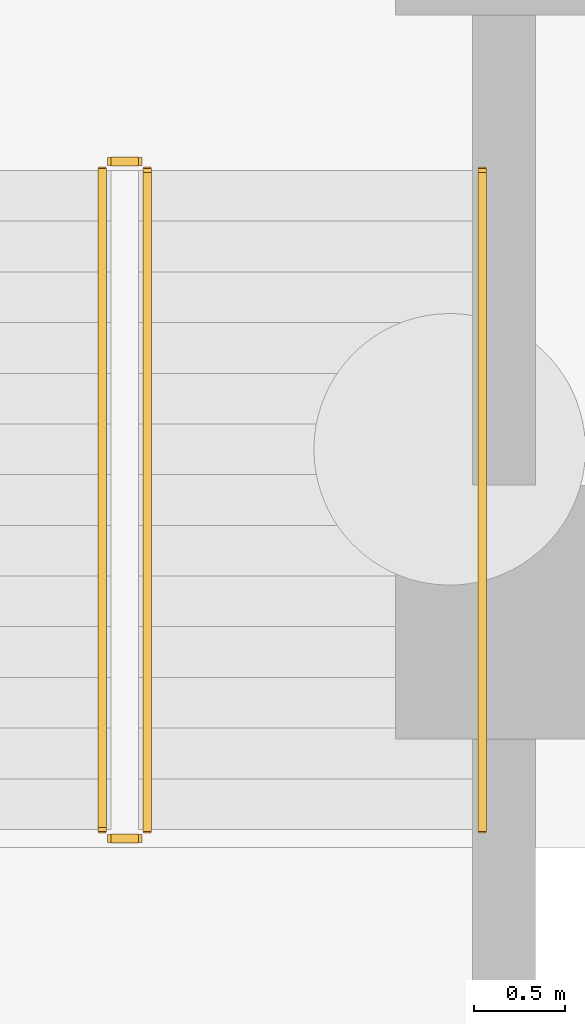
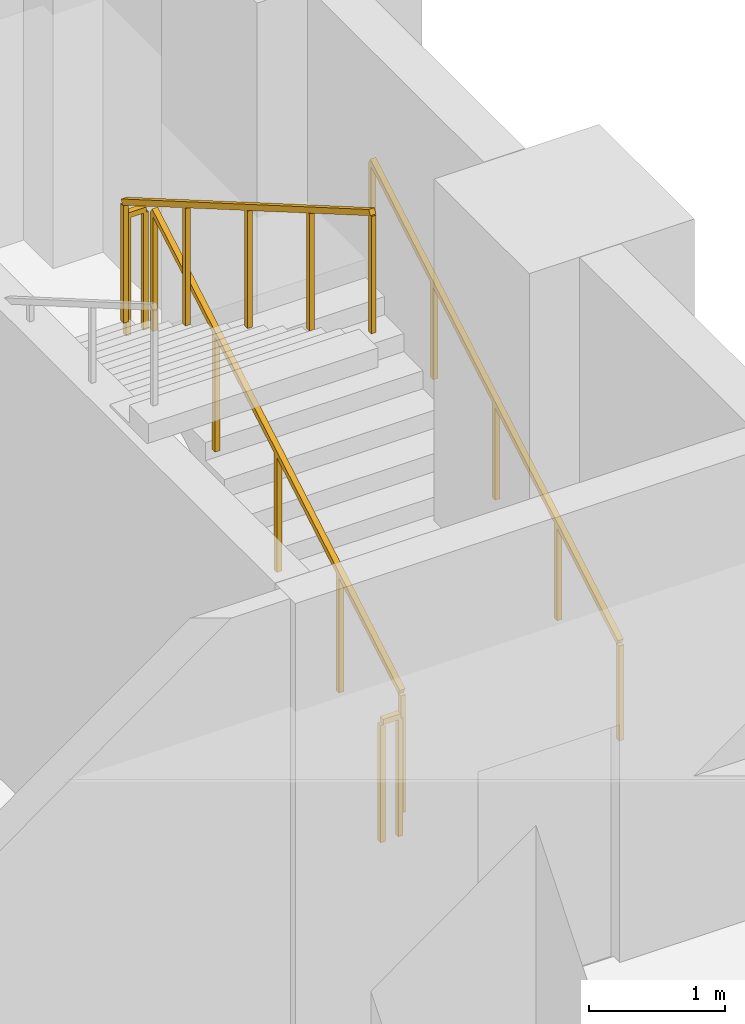
# One storey, part 15 of 16: 5 railings.
"""IFC4 building model written with IfcOpenShell, lengths in metres."""

from ifc_helpers import new_model, si_unit, direction, frame, origin, origin_2d, place, context, subcontext, project, spatial, rectangle, extrude, material, type_object, element, save


model = new_model("IFC4")

# Units and contexts
model_context = context("Model", 3, precision=1e-05, world=origin(), true_north=direction((0.0, 1.0)))
body_context = subcontext(model_context, "Body", "Model", "MODEL_VIEW")
ifc_project = project(units=[si_unit("LENGTHUNIT", "METRE"), si_unit("AREAUNIT", "SQUARE_METRE"), si_unit("VOLUMEUNIT", "CUBIC_METRE"), si_unit("PLANEANGLEUNIT", "RADIAN"), si_unit("MASSUNIT", "GRAM", prefix="KILO")], contexts=[model_context])

# Site, building, storey
site_placement = place(None, origin())
site = spatial("IfcSite", under=ifc_project, at=site_placement, CompositionType="ELEMENT")
building_placement = place(site_placement, origin())
building = spatial("IfcBuilding", under=site, at=building_placement, Name="Zulmaris Gate Convention Tower", CompositionType="ELEMENT")
storey_placement = place(building_placement, frame((0.0, 0.0, -9.10009765625)))
storey = spatial("IfcBuildingStorey", under=building, at=storey_placement, Name="B2", CompositionType="ELEMENT", Elevation=-9.10009765625)

# Railings
ifc_material_1 = material(Name="Painted Galvanised Steel", Category="steel")
railing_type_1 = type_object("IfcRailingType", Name="RL-STG-1150", PredefinedType="GUARDRAIL", material=ifc_material_1)
railing_1_placement = place(storey_placement, frame((31.929931640625, 20.800048828125, 0.16259765625)))
element("IfcRailing", 1, at=railing_1_placement, inside=storey, type_object=railing_type_1, Name="B2 ST-5 stair guard 1", PredefinedType="GUARDRAIL", context=body_context, shape_type="SweptSolid", body=[
    extrude(rectangle(XDim=0.048095703125, YDim=0.048095703125, at=origin_2d()), frame((0.0, 0.0, 1.076171875), z_axis=(0.0, 0.864885630581, 0.501968969174), x_axis=(-1.0, 0.0, 0.0)), (0.0, 0.0, 1.0), 4.20849609375),
    extrude(rectangle(XDim=0.0419921875, YDim=0.0419921875, at=origin_2d()), origin(), (0.0, 0.0, 1.0), 1.052001953125),
    extrude(rectangle(XDim=0.0419921875, YDim=0.0419921875, at=origin_2d()), frame((0.0, 0.909912109375, 0.528076171875)), (0.0, 0.0, 1.0), 1.052001953125),
    extrude(rectangle(XDim=0.0419921875, YDim=0.0419921875, at=origin_2d()), frame((0.0, 1.81982421875, 1.05615234375)), (0.0, 0.0, 1.0), 1.052001953125),
    extrude(rectangle(XDim=0.0419921875, YDim=0.0419921875, at=origin_2d()), frame((0.0, 2.72998046875, 1.58447265625)), (0.0, 0.0, 1.0), 1.052001953125),
    extrude(rectangle(XDim=0.0419921875, YDim=0.0419921875, at=origin_2d()), frame((0.0, 3.639892578125, 2.112548828125)), (0.0, 0.0, 1.0), 1.052001953125),
])
railing_2_placement = place(storey_placement, frame((31.8798828125, 24.489990234375, 2.275146484375)))
element("IfcRailing", 2, at=railing_2_placement, inside=storey, type_object=railing_type_1, Name="B2 ST-5 stair guard 2", PredefinedType="GUARDRAIL", context=body_context, shape_type="SweptSolid", body=[
    extrude(rectangle(XDim=0.048095703125, YDim=0.048095703125, at=origin_2d()), frame((0.0, 0.0, 1.076171875), z_axis=(-1.0, 0.0, 0.0), x_axis=(0.0, -1.0, 0.0)), (0.0, 0.0, 1.0), 0.14990234375),
    extrude(rectangle(XDim=0.0419921875, YDim=0.0419921875, at=origin_2d()), origin(), (0.0, 0.0, 1.0), 1.052001953125),
    extrude(rectangle(XDim=0.0419921875, YDim=0.0419921875, at=origin_2d()), frame((-0.14990234375, 0.0, 0.0)), (0.0, 0.0, 1.0), 1.052001953125),
])
railing_3_placement = place(storey_placement, frame((31.679931640625, 24.43994140625, 2.4375)))
element("IfcRailing", 3, at=railing_3_placement, inside=storey, type_object=railing_type_1, Name="B2 ST-5 stair guard 3", PredefinedType="GUARDRAIL", context=body_context, shape_type="SweptSolid", body=[
    extrude(rectangle(XDim=0.048095703125, YDim=0.048095703125, at=origin_2d()), frame((0.0, 0.0, 1.076171875), z_axis=(0.0, -0.864885630581, 0.501968969174), x_axis=(1.0, 0.0, 0.0)), (0.0, 0.0, 1.0), 4.20849609375),
    extrude(rectangle(XDim=0.0419921875, YDim=0.0419921875, at=origin_2d()), origin(), (0.0, 0.0, 1.0), 1.052001953125),
    extrude(rectangle(XDim=0.0419921875, YDim=0.0419921875, at=origin_2d()), frame((0.0, -0.909912109375, 0.528076171875)), (0.0, 0.0, 1.0), 1.052001953125),
    extrude(rectangle(XDim=0.0419921875, YDim=0.0419921875, at=origin_2d()), frame((0.0, -1.81982421875, 1.05615234375)), (0.0, 0.0, 1.0), 1.052001953125),
    extrude(rectangle(XDim=0.0419921875, YDim=0.0419921875, at=origin_2d()), frame((0.0, -2.72998046875, 1.58447265625)), (0.0, 0.0, 1.0), 1.052001953125),
    extrude(rectangle(XDim=0.0419921875, YDim=0.0419921875, at=origin_2d()), frame((0.0, -3.639892578125, 2.112548828125)), (0.0, 0.0, 1.0), 1.052001953125),
])
railing_4_placement = place(storey_placement, frame((31.8798828125, 20.75, 0.0)))
element("IfcRailing", 4, at=railing_4_placement, inside=storey, type_object=railing_type_1, Name="B2 ST-5 stair guard 4", PredefinedType="GUARDRAIL", context=body_context, shape_type="SweptSolid", body=[
    extrude(rectangle(XDim=0.048095703125, YDim=0.048095703125, at=origin_2d()), frame((0.0, 0.0, 1.076171875), z_axis=(-1.0, 0.0, 0.0), x_axis=(0.0, -1.0, 0.0)), (0.0, 0.0, 1.0), 0.14990234375),
    extrude(rectangle(XDim=0.0419921875, YDim=0.0419921875, at=origin_2d()), origin(), (0.0, 0.0, 1.0), 1.052001953125),
    extrude(rectangle(XDim=0.0419921875, YDim=0.0419921875, at=origin_2d()), frame((-0.14990234375, 0.0, 0.0)), (0.0, 0.0, 1.0), 1.052001953125),
])
ifc_material_2 = material(Name="Brushed Stainless Steel", Category="steel")
railing_type_2 = type_object("IfcRailingType", Name="RL-STH-900", PredefinedType="HANDRAIL", material=ifc_material_2)
railing_5_placement = place(storey_placement, frame((33.780029296875, 20.800048828125, 0.16259765625)))
element("IfcRailing", 5, at=railing_5_placement, inside=storey, type_object=railing_type_2, Name="B2 ST-5 stair handrail 1", PredefinedType="HANDRAIL", context=body_context, shape_type="SweptSolid", body=[
    extrude(rectangle(XDim=0.048095703125, YDim=0.048095703125, at=origin_2d()), frame((0.0, 0.0, 0.8759765625), z_axis=(0.0, 0.864885630581, 0.501968969174), x_axis=(-1.0, 0.0, 0.0)), (0.0, 0.0, 1.0), 4.20849609375),
    extrude(rectangle(XDim=0.0419921875, YDim=0.0419921875, at=origin_2d()), origin(), (0.0, 0.0, 1.0), 0.851806640625),
    extrude(rectangle(XDim=0.0419921875, YDim=0.0419921875, at=origin_2d()), frame((0.0, 0.909912109375, 0.528076171875)), (0.0, 0.0, 1.0), 0.851806640625),
    extrude(rectangle(XDim=0.0419921875, YDim=0.0419921875, at=origin_2d()), frame((0.0, 1.81982421875, 1.05615234375)), (0.0, 0.0, 1.0), 0.851806640625),
    extrude(rectangle(XDim=0.0419921875, YDim=0.0419921875, at=origin_2d()), frame((0.0, 2.72998046875, 1.58447265625)), (0.0, 0.0, 1.0), 0.851806640625),
    extrude(rectangle(XDim=0.0419921875, YDim=0.0419921875, at=origin_2d()), frame((0.0, 3.639892578125, 2.112548828125)), (0.0, 0.0, 1.0), 0.851806640625),
])

save(model, "model.ifc")
